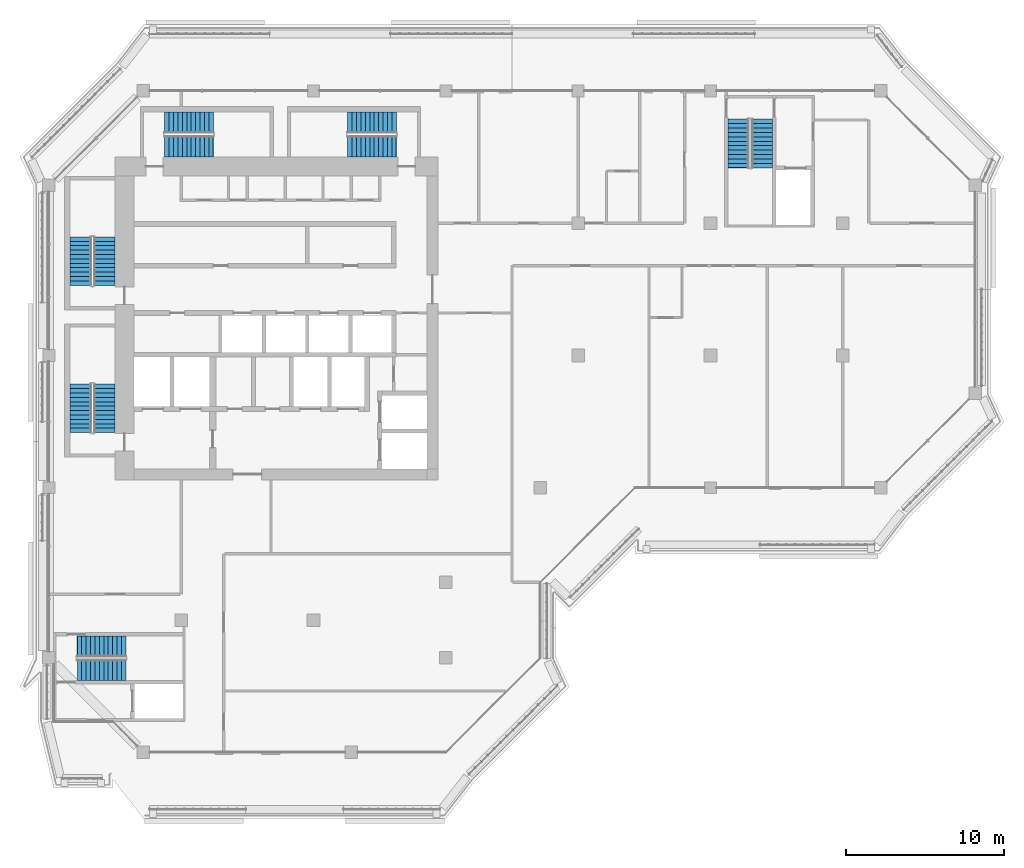
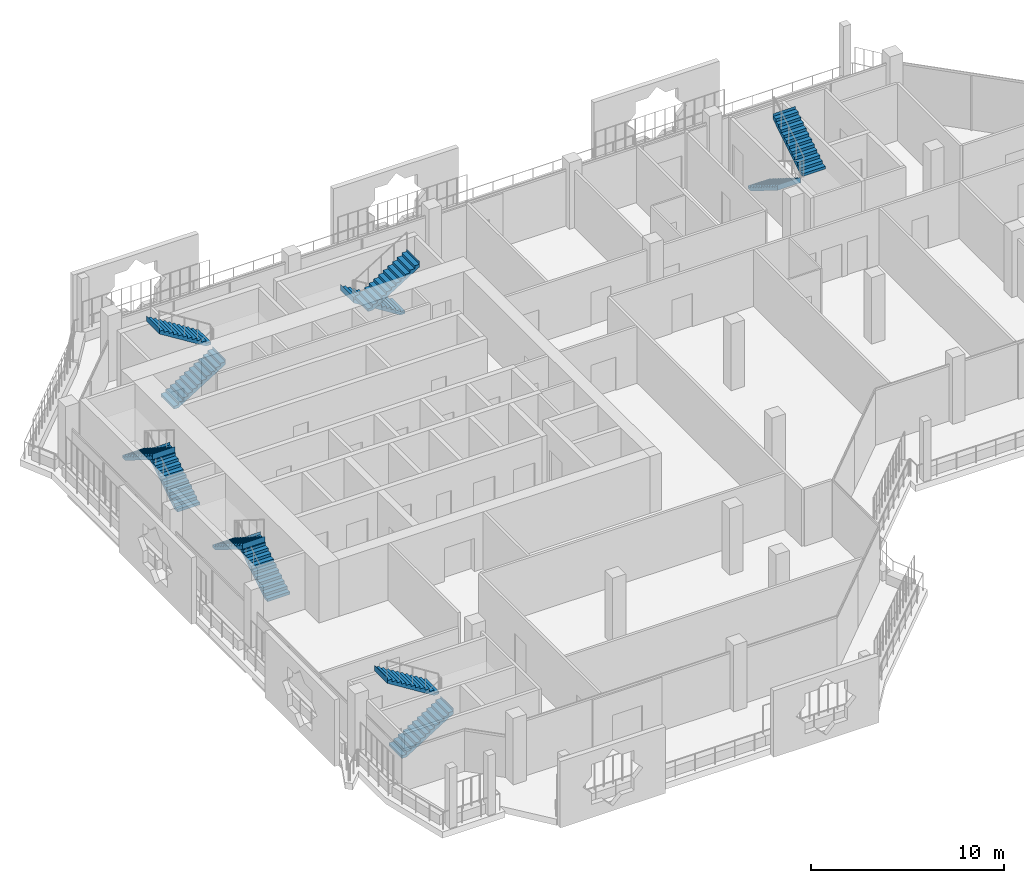
# One storey, part 14 of 21: 12 stair flights, 6 elements without a shape of their own.
"""IFC4 building model written with IfcOpenShell, lengths in metres."""

from ifc_helpers import new_model, si_unit, direction, frame, origin, place, context, subcontext, project, spatial, polyline, outline, extrude, material, type_object, element, aggregate, save


model = new_model("IFC4")

# Units and contexts
model_context = context("Model", 3, precision=1e-05, world=origin(), true_north=direction((0.0, 1.0)))
body_context = subcontext(model_context, "Body", "Model", "MODEL_VIEW")
ifc_project = project(units=[si_unit("LENGTHUNIT", "METRE"), si_unit("AREAUNIT", "SQUARE_METRE"), si_unit("VOLUMEUNIT", "CUBIC_METRE"), si_unit("PLANEANGLEUNIT", "RADIAN"), si_unit("MASSUNIT", "GRAM", prefix="KILO")], contexts=[model_context])

# Site, building, storey
site_placement = place(None, origin())
site = spatial("IfcSite", under=ifc_project, at=site_placement, CompositionType="ELEMENT")
building_placement = place(site_placement, origin())
building = spatial("IfcBuilding", under=site, at=building_placement, Name="Kawkab Arch Medical Tower", CompositionType="ELEMENT")
storey_placement = place(building_placement, frame((0.0, 0.0, 323.800048828125)))
storey = spatial("IfcBuildingStorey", under=building, at=storey_placement, Name="L75", CompositionType="ELEMENT", Elevation=323.800048828125)

# Stair, stair flights
ifc_material_1 = material(Name="Concrete C40/50", Category="concrete")
stair_type = type_object("IfcStairType", Name="Exit stair 1350", PredefinedType="HALF_TURN_STAIR", material=ifc_material_1)
placement = place(storey_placement, origin())
stair_1 = element("IfcStair", 1, at=placement, inside=storey, type_object=stair_type, Name="L75 Exit stair ST1", PredefinedType="HALF_TURN_STAIR")
ifc_material_2 = material(Name="Concrete C40/50", Category="concrete")
stair_flight_type = type_object("IfcStairFlightType", Name="Exit stair flight 1350", PredefinedType="STRAIGHT", material=ifc_material_2)
stair_flight_1_placement = place(storey_placement, frame((3.52490234375, -12.35009765625, 0.0), z_axis=(0.0, 0.0, 1.0), x_axis=(0.0, 1.0, 0.0)))
stair_flight_1 = element("IfcStairFlight", 2, at=stair_flight_1_placement, type_object=stair_flight_type, Name="ST1 flight 1", NumberOfRisers=12, NumberOfTreads=11, PredefinedType="STRAIGHT", RiserHeight=0.175, TreadLength=0.28, context=body_context, shape_type="SweptSolid", body=[
    extrude(outline(polyline([(-0.0029296875, 0.0), (-0.0029296875, 0.175048828125), (0.0, 0.175048828125), (0.280029296875, 0.175048828125), (0.280029296875, 0.35009765625), (0.56005859375, 0.35009765625), (0.56005859375, 0.52490234375), (0.840087890625, 0.52490234375), (0.840087890625, 0.699951171875), (1.1201171875, 0.699951171875), (1.1201171875, 0.875), (1.39990234375, 0.875), (1.39990234375, 1.050048828125), (1.679931640625, 1.050048828125), (1.679931640625, 1.22509765625), (1.9599609375, 1.22509765625), (1.9599609375, 1.39990234375), (2.239990234375, 1.39990234375), (2.239990234375, 1.574951171875), (2.52001953125, 1.574951171875), (2.52001953125, 1.75), (2.800048828125, 1.75), (2.800048828125, 1.925048828125), (3.080078125, 1.925048828125), (3.080078125, 2.10009765625), (3.0830078125, 2.10009765625), (3.0830078125, 1.748291015625), (3.080078125, 1.748291015625), (0.28271484375, 0.0), (-0.0029296875, 0.0)])), frame((0.0, 0.675048828125, 0.0), z_axis=(0.0, -1.0, 0.0), x_axis=(1.0, 0.0, 0.0)), (0.0, 0.0, 1.0), 1.35009765625),
])
stair_flight_2_placement = place(storey_placement, frame((2.02490234375, -9.27001953125, 2.099853515625), z_axis=(0.0, 0.0, 1.0), x_axis=(0.0, -1.0, 0.0)))
stair_flight_2 = element("IfcStairFlight", 3, at=stair_flight_2_placement, type_object=stair_flight_type, Name="ST1 flight 2", NumberOfRisers=12, NumberOfTreads=11, PredefinedType="STRAIGHT", RiserHeight=0.175, TreadLength=0.28, context=body_context, shape_type="SweptSolid", body=[
    extrude(outline(polyline([(-0.0029296875, 0.0), (-0.0029296875, 0.175048828125), (0.0, 0.175048828125), (0.280029296875, 0.175048828125), (0.280029296875, 0.35009765625), (0.56005859375, 0.35009765625), (0.56005859375, 0.52490234375), (0.840087890625, 0.52490234375), (0.840087890625, 0.699951171875), (1.1201171875, 0.699951171875), (1.1201171875, 0.875), (1.39990234375, 0.875), (1.39990234375, 1.050048828125), (1.679931640625, 1.050048828125), (1.679931640625, 1.22509765625), (1.9599609375, 1.22509765625), (1.9599609375, 1.39990234375), (2.239990234375, 1.39990234375), (2.239990234375, 1.574951171875), (2.52001953125, 1.574951171875), (2.52001953125, 1.75), (2.800048828125, 1.75), (2.800048828125, 1.925048828125), (3.080078125, 1.925048828125), (3.080078125, 2.10009765625), (3.0830078125, 2.10009765625), (3.0830078125, 1.748291015625), (3.080078125, 1.748291015625), (0.28271484375, 0.0), (-0.0029296875, 0.0)])), frame((0.0, 0.675048828125, 0.0), z_axis=(0.0, -1.0, 0.0), x_axis=(1.0, 0.0, 0.0)), (0.0, 0.0, 1.0), 1.35009765625),
])
aggregate(stair_1, [stair_flight_1, stair_flight_2])

stair_2 = element("IfcStair", 4, at=placement, inside=storey, type_object=stair_type, Name="L75 Exit stair ST2", PredefinedType="HALF_TURN_STAIR")
stair_flight_3_placement = place(storey_placement, frame((3.52490234375, -21.699951171875, 0.0), z_axis=(0.0, 0.0, 1.0), x_axis=(0.0, 1.0, 0.0)))
stair_flight_3 = element("IfcStairFlight", 5, at=stair_flight_3_placement, type_object=stair_flight_type, Name="ST2 flight 1", NumberOfRisers=12, NumberOfTreads=11, PredefinedType="STRAIGHT", RiserHeight=0.175, TreadLength=0.28, context=body_context, shape_type="SweptSolid", body=[
    extrude(outline(polyline([(-0.0029296875, 0.0), (-0.0029296875, 0.175048828125), (0.0, 0.175048828125), (0.280029296875, 0.175048828125), (0.280029296875, 0.35009765625), (0.56005859375, 0.35009765625), (0.56005859375, 0.52490234375), (0.840087890625, 0.52490234375), (0.840087890625, 0.699951171875), (1.1201171875, 0.699951171875), (1.1201171875, 0.875), (1.39990234375, 0.875), (1.39990234375, 1.050048828125), (1.679931640625, 1.050048828125), (1.679931640625, 1.22509765625), (1.9599609375, 1.22509765625), (1.9599609375, 1.39990234375), (2.239990234375, 1.39990234375), (2.239990234375, 1.574951171875), (2.52001953125, 1.574951171875), (2.52001953125, 1.75), (2.800048828125, 1.75), (2.800048828125, 1.925048828125), (3.080078125, 1.925048828125), (3.080078125, 2.10009765625), (3.0830078125, 2.10009765625), (3.0830078125, 1.748291015625), (3.080078125, 1.748291015625), (0.28271484375, 0.0), (-0.0029296875, 0.0)])), frame((0.0, 0.675048828125, 0.0), z_axis=(0.0, -1.0, 0.0), x_axis=(1.0, 0.0, 0.0)), (0.0, 0.0, 1.0), 1.35009765625),
])
stair_flight_4_placement = place(storey_placement, frame((2.02490234375, -18.6201171875, 2.099853515625), z_axis=(0.0, 0.0, 1.0), x_axis=(0.0, -1.0, 0.0)))
stair_flight_4 = element("IfcStairFlight", 6, at=stair_flight_4_placement, type_object=stair_flight_type, Name="ST2 flight 2", NumberOfRisers=12, NumberOfTreads=11, PredefinedType="STRAIGHT", RiserHeight=0.175, TreadLength=0.28, context=body_context, shape_type="SweptSolid", body=[
    extrude(outline(polyline([(-0.0029296875, 0.0), (-0.0029296875, 0.175048828125), (0.0, 0.175048828125), (0.280029296875, 0.175048828125), (0.280029296875, 0.35009765625), (0.56005859375, 0.35009765625), (0.56005859375, 0.52490234375), (0.840087890625, 0.52490234375), (0.840087890625, 0.699951171875), (1.1201171875, 0.699951171875), (1.1201171875, 0.875), (1.39990234375, 0.875), (1.39990234375, 1.050048828125), (1.679931640625, 1.050048828125), (1.679931640625, 1.22509765625), (1.9599609375, 1.22509765625), (1.9599609375, 1.39990234375), (2.239990234375, 1.39990234375), (2.239990234375, 1.574951171875), (2.52001953125, 1.574951171875), (2.52001953125, 1.75), (2.800048828125, 1.75), (2.800048828125, 1.925048828125), (3.080078125, 1.925048828125), (3.080078125, 2.10009765625), (3.0830078125, 2.10009765625), (3.0830078125, 1.748291015625), (3.080078125, 1.748291015625), (0.28271484375, 0.0), (-0.0029296875, 0.0)])), frame((0.0, 0.675048828125, 0.0), z_axis=(0.0, -1.0, 0.0), x_axis=(1.0, 0.0, 0.0)), (0.0, 0.0, 1.0), 1.35009765625),
])
aggregate(stair_2, [stair_flight_3, stair_flight_4])

stair_3 = element("IfcStair", 7, at=placement, inside=storey, type_object=stair_type, Name="L75 Exit stair ST3", PredefinedType="HALF_TURN_STAIR")
stair_flight_5_placement = place(storey_placement, frame((7.35009765625, -3.52490234375, 0.0), z_axis=(0.0, 0.0, 1.0), x_axis=(1.0, 0.0, 0.0)))
stair_flight_5 = element("IfcStairFlight", 8, at=stair_flight_5_placement, type_object=stair_flight_type, Name="ST3 flight 1", NumberOfRisers=12, NumberOfTreads=11, PredefinedType="STRAIGHT", RiserHeight=0.175, TreadLength=0.28, context=body_context, shape_type="SweptSolid", body=[
    extrude(outline(polyline([(-0.0029296875, 0.0), (-0.0029296875, 0.175048828125), (0.0, 0.175048828125), (0.280029296875, 0.175048828125), (0.280029296875, 0.35009765625), (0.56005859375, 0.35009765625), (0.56005859375, 0.52490234375), (0.840087890625, 0.52490234375), (0.840087890625, 0.699951171875), (1.1201171875, 0.699951171875), (1.1201171875, 0.875), (1.39990234375, 0.875), (1.39990234375, 1.050048828125), (1.679931640625, 1.050048828125), (1.679931640625, 1.22509765625), (1.9599609375, 1.22509765625), (1.9599609375, 1.39990234375), (2.239990234375, 1.39990234375), (2.239990234375, 1.574951171875), (2.52001953125, 1.574951171875), (2.52001953125, 1.75), (2.800048828125, 1.75), (2.800048828125, 1.925048828125), (3.080078125, 1.925048828125), (3.080078125, 2.10009765625), (3.0830078125, 2.10009765625), (3.0830078125, 1.748291015625), (3.080078125, 1.748291015625), (0.28271484375, 0.0), (-0.0029296875, 0.0)])), frame((0.0, 0.675048828125, 0.0), z_axis=(0.0, -1.0, 0.0), x_axis=(1.0, 0.0, 0.0)), (0.0, 0.0, 1.0), 1.35009765625),
])
stair_flight_6_placement = place(storey_placement, frame((10.429931640625, -2.02490234375, 2.099853515625), z_axis=(0.0, 0.0, 1.0), x_axis=(-1.0, 0.0, 0.0)))
stair_flight_6 = element("IfcStairFlight", 9, at=stair_flight_6_placement, type_object=stair_flight_type, Name="ST3 flight 2", NumberOfRisers=12, NumberOfTreads=11, PredefinedType="STRAIGHT", RiserHeight=0.175, TreadLength=0.28, context=body_context, shape_type="SweptSolid", body=[
    extrude(outline(polyline([(-0.0029296875, 0.0), (-0.0029296875, 0.175048828125), (0.0, 0.175048828125), (0.280029296875, 0.175048828125), (0.280029296875, 0.35009765625), (0.56005859375, 0.35009765625), (0.56005859375, 0.52490234375), (0.840087890625, 0.52490234375), (0.840087890625, 0.699951171875), (1.1201171875, 0.699951171875), (1.1201171875, 0.875), (1.39990234375, 0.875), (1.39990234375, 1.050048828125), (1.679931640625, 1.050048828125), (1.679931640625, 1.22509765625), (1.9599609375, 1.22509765625), (1.9599609375, 1.39990234375), (2.239990234375, 1.39990234375), (2.239990234375, 1.574951171875), (2.52001953125, 1.574951171875), (2.52001953125, 1.75), (2.800048828125, 1.75), (2.800048828125, 1.925048828125), (3.080078125, 1.925048828125), (3.080078125, 2.10009765625), (3.0830078125, 2.10009765625), (3.0830078125, 1.748291015625), (3.080078125, 1.748291015625), (0.28271484375, 0.0), (-0.0029296875, 0.0)])), frame((0.0, 0.675048828125, 0.0), z_axis=(0.0, -1.0, 0.0), x_axis=(1.0, 0.0, 0.0)), (0.0, 0.0, 1.0), 1.35009765625),
])
aggregate(stair_3, [stair_flight_5, stair_flight_6])

stair_4 = element("IfcStair", 10, at=placement, inside=storey, type_object=stair_type, Name="L75 Exit stair ST4", PredefinedType="HALF_TURN_STAIR")
stair_flight_7_placement = place(storey_placement, frame((22.050048828125, -2.02490234375, 0.0), z_axis=(0.0, 0.0, 1.0), x_axis=(-1.0, 0.0, 0.0)))
stair_flight_7 = element("IfcStairFlight", 11, at=stair_flight_7_placement, type_object=stair_flight_type, Name="ST4 flight 1", NumberOfRisers=12, NumberOfTreads=11, PredefinedType="STRAIGHT", RiserHeight=0.175, TreadLength=0.28, context=body_context, shape_type="SweptSolid", body=[
    extrude(outline(polyline([(-0.0029296875, 0.0), (-0.0029296875, 0.175048828125), (0.0, 0.175048828125), (0.280029296875, 0.175048828125), (0.280029296875, 0.35009765625), (0.56005859375, 0.35009765625), (0.56005859375, 0.52490234375), (0.840087890625, 0.52490234375), (0.840087890625, 0.699951171875), (1.1201171875, 0.699951171875), (1.1201171875, 0.875), (1.39990234375, 0.875), (1.39990234375, 1.050048828125), (1.679931640625, 1.050048828125), (1.679931640625, 1.22509765625), (1.9599609375, 1.22509765625), (1.9599609375, 1.39990234375), (2.239990234375, 1.39990234375), (2.239990234375, 1.574951171875), (2.52001953125, 1.574951171875), (2.52001953125, 1.75), (2.800048828125, 1.75), (2.800048828125, 1.925048828125), (3.080078125, 1.925048828125), (3.080078125, 2.10009765625), (3.0830078125, 2.10009765625), (3.0830078125, 1.748291015625), (3.080078125, 1.748291015625), (0.28271484375, 0.0), (-0.0029296875, 0.0)])), frame((0.0, 0.675048828125, 0.0), z_axis=(0.0, -1.0, 0.0), x_axis=(1.0, 0.0, 0.0)), (0.0, 0.0, 1.0), 1.35009765625),
])
stair_flight_8_placement = place(storey_placement, frame((18.969970703125, -3.52490234375, 2.099853515625), z_axis=(0.0, 0.0, 1.0), x_axis=(1.0, 0.0, 0.0)))
stair_flight_8 = element("IfcStairFlight", 12, at=stair_flight_8_placement, type_object=stair_flight_type, Name="ST4 flight 2", NumberOfRisers=12, NumberOfTreads=11, PredefinedType="STRAIGHT", RiserHeight=0.175, TreadLength=0.28, context=body_context, shape_type="SweptSolid", body=[
    extrude(outline(polyline([(-0.0029296875, 0.0), (-0.0029296875, 0.175048828125), (0.0, 0.175048828125), (0.280029296875, 0.175048828125), (0.280029296875, 0.35009765625), (0.56005859375, 0.35009765625), (0.56005859375, 0.52490234375), (0.840087890625, 0.52490234375), (0.840087890625, 0.699951171875), (1.1201171875, 0.699951171875), (1.1201171875, 0.875), (1.39990234375, 0.875), (1.39990234375, 1.050048828125), (1.679931640625, 1.050048828125), (1.679931640625, 1.22509765625), (1.9599609375, 1.22509765625), (1.9599609375, 1.39990234375), (2.239990234375, 1.39990234375), (2.239990234375, 1.574951171875), (2.52001953125, 1.574951171875), (2.52001953125, 1.75), (2.800048828125, 1.75), (2.800048828125, 1.925048828125), (3.080078125, 1.925048828125), (3.080078125, 2.10009765625), (3.0830078125, 2.10009765625), (3.0830078125, 1.748291015625), (3.080078125, 1.748291015625), (0.28271484375, 0.0), (-0.0029296875, 0.0)])), frame((0.0, 0.675048828125, 0.0), z_axis=(0.0, -1.0, 0.0), x_axis=(1.0, 0.0, 0.0)), (0.0, 0.0, 1.0), 1.35009765625),
])
aggregate(stair_4, [stair_flight_7, stair_flight_8])

stair_5 = element("IfcStair", 13, at=placement, inside=storey, type_object=stair_type, Name="L75 Exit stair ST5", PredefinedType="HALF_TURN_STAIR")
stair_flight_9_placement = place(storey_placement, frame((43.77490234375, -1.800048828125, 0.0), z_axis=(0.0, 0.0, 1.0), x_axis=(0.0, -1.0, 0.0)))
stair_flight_9 = element("IfcStairFlight", 14, at=stair_flight_9_placement, type_object=stair_flight_type, Name="ST5 flight 1", NumberOfRisers=12, NumberOfTreads=11, PredefinedType="STRAIGHT", RiserHeight=0.175, TreadLength=0.28, context=body_context, shape_type="SweptSolid", body=[
    extrude(outline(polyline([(-0.0029296875, 0.0), (-0.0029296875, 0.175048828125), (0.0, 0.175048828125), (0.280029296875, 0.175048828125), (0.280029296875, 0.35009765625), (0.56005859375, 0.35009765625), (0.56005859375, 0.52490234375), (0.840087890625, 0.52490234375), (0.840087890625, 0.699951171875), (1.1201171875, 0.699951171875), (1.1201171875, 0.875), (1.39990234375, 0.875), (1.39990234375, 1.050048828125), (1.679931640625, 1.050048828125), (1.679931640625, 1.22509765625), (1.9599609375, 1.22509765625), (1.9599609375, 1.39990234375), (2.239990234375, 1.39990234375), (2.239990234375, 1.574951171875), (2.52001953125, 1.574951171875), (2.52001953125, 1.75), (2.800048828125, 1.75), (2.800048828125, 1.925048828125), (3.080078125, 1.925048828125), (3.080078125, 2.10009765625), (3.0830078125, 2.10009765625), (3.0830078125, 1.748291015625), (3.080078125, 1.748291015625), (0.28271484375, 0.0), (-0.0029296875, 0.0)])), frame((0.0, 0.675048828125, 0.0), z_axis=(0.0, -1.0, 0.0), x_axis=(1.0, 0.0, 0.0)), (0.0, 0.0, 1.0), 1.35009765625),
])
stair_flight_10_placement = place(storey_placement, frame((45.27490234375, -4.8798828125, 2.099853515625), z_axis=(0.0, 0.0, 1.0), x_axis=(0.0, 1.0, 0.0)))
stair_flight_10 = element("IfcStairFlight", 15, at=stair_flight_10_placement, type_object=stair_flight_type, Name="ST5 flight 2", NumberOfRisers=12, NumberOfTreads=11, PredefinedType="STRAIGHT", RiserHeight=0.175, TreadLength=0.28, context=body_context, shape_type="SweptSolid", body=[
    extrude(outline(polyline([(-0.0029296875, 0.0), (-0.0029296875, 0.175048828125), (0.0, 0.175048828125), (0.280029296875, 0.175048828125), (0.280029296875, 0.35009765625), (0.56005859375, 0.35009765625), (0.56005859375, 0.52490234375), (0.840087890625, 0.52490234375), (0.840087890625, 0.699951171875), (1.1201171875, 0.699951171875), (1.1201171875, 0.875), (1.39990234375, 0.875), (1.39990234375, 1.050048828125), (1.679931640625, 1.050048828125), (1.679931640625, 1.22509765625), (1.9599609375, 1.22509765625), (1.9599609375, 1.39990234375), (2.239990234375, 1.39990234375), (2.239990234375, 1.574951171875), (2.52001953125, 1.574951171875), (2.52001953125, 1.75), (2.800048828125, 1.75), (2.800048828125, 1.925048828125), (3.080078125, 1.925048828125), (3.080078125, 2.10009765625), (3.0830078125, 2.10009765625), (3.0830078125, 1.748291015625), (3.080078125, 1.748291015625), (0.28271484375, 0.0), (-0.0029296875, 0.0)])), frame((0.0, 0.675048828125, 0.0), z_axis=(0.0, -1.0, 0.0), x_axis=(1.0, 0.0, 0.0)), (0.0, 0.0, 1.0), 1.35009765625),
])
aggregate(stair_5, [stair_flight_9, stair_flight_10])

stair_6 = element("IfcStair", 16, at=placement, inside=storey, type_object=stair_type, Name="L75 Exit stair ST6", PredefinedType="HALF_TURN_STAIR")
stair_flight_11_placement = place(storey_placement, frame((1.800048828125, -36.77490234375, 0.0), z_axis=(0.0, 0.0, 1.0), x_axis=(1.0, 0.0, 0.0)))
stair_flight_11 = element("IfcStairFlight", 17, at=stair_flight_11_placement, type_object=stair_flight_type, Name="ST6 flight 1", NumberOfRisers=12, NumberOfTreads=11, PredefinedType="STRAIGHT", RiserHeight=0.175, TreadLength=0.28, context=body_context, shape_type="SweptSolid", body=[
    extrude(outline(polyline([(-0.0029296875, 0.0), (-0.0029296875, 0.175048828125), (0.0, 0.175048828125), (0.280029296875, 0.175048828125), (0.280029296875, 0.35009765625), (0.56005859375, 0.35009765625), (0.56005859375, 0.52490234375), (0.840087890625, 0.52490234375), (0.840087890625, 0.699951171875), (1.1201171875, 0.699951171875), (1.1201171875, 0.875), (1.39990234375, 0.875), (1.39990234375, 1.050048828125), (1.679931640625, 1.050048828125), (1.679931640625, 1.22509765625), (1.9599609375, 1.22509765625), (1.9599609375, 1.39990234375), (2.239990234375, 1.39990234375), (2.239990234375, 1.574951171875), (2.52001953125, 1.574951171875), (2.52001953125, 1.75), (2.800048828125, 1.75), (2.800048828125, 1.925048828125), (3.080078125, 1.925048828125), (3.080078125, 2.10009765625), (3.0830078125, 2.10009765625), (3.0830078125, 1.748291015625), (3.080078125, 1.748291015625), (0.28271484375, 0.0), (-0.0029296875, 0.0)])), frame((0.0, 0.675048828125, 0.0), z_axis=(0.0, -1.0, 0.0), x_axis=(1.0, 0.0, 0.0)), (0.0, 0.0, 1.0), 1.35009765625),
])
stair_flight_12_placement = place(storey_placement, frame((4.8798828125, -35.27490234375, 2.099853515625), z_axis=(0.0, 0.0, 1.0), x_axis=(-1.0, 0.0, 0.0)))
stair_flight_12 = element("IfcStairFlight", 18, at=stair_flight_12_placement, type_object=stair_flight_type, Name="ST6 flight 2", NumberOfRisers=12, NumberOfTreads=11, PredefinedType="STRAIGHT", RiserHeight=0.175, TreadLength=0.28, context=body_context, shape_type="SweptSolid", body=[
    extrude(outline(polyline([(-0.0029296875, 0.0), (-0.0029296875, 0.175048828125), (0.0, 0.175048828125), (0.280029296875, 0.175048828125), (0.280029296875, 0.35009765625), (0.56005859375, 0.35009765625), (0.56005859375, 0.52490234375), (0.840087890625, 0.52490234375), (0.840087890625, 0.699951171875), (1.1201171875, 0.699951171875), (1.1201171875, 0.875), (1.39990234375, 0.875), (1.39990234375, 1.050048828125), (1.679931640625, 1.050048828125), (1.679931640625, 1.22509765625), (1.9599609375, 1.22509765625), (1.9599609375, 1.39990234375), (2.239990234375, 1.39990234375), (2.239990234375, 1.574951171875), (2.52001953125, 1.574951171875), (2.52001953125, 1.75), (2.800048828125, 1.75), (2.800048828125, 1.925048828125), (3.080078125, 1.925048828125), (3.080078125, 2.10009765625), (3.0830078125, 2.10009765625), (3.0830078125, 1.748291015625), (3.080078125, 1.748291015625), (0.28271484375, 0.0), (-0.0029296875, 0.0)])), frame((0.0, 0.675048828125, 0.0), z_axis=(0.0, -1.0, 0.0), x_axis=(1.0, 0.0, 0.0)), (0.0, 0.0, 1.0), 1.35009765625),
])
aggregate(stair_6, [stair_flight_11, stair_flight_12])

save(model, "model.ifc")
